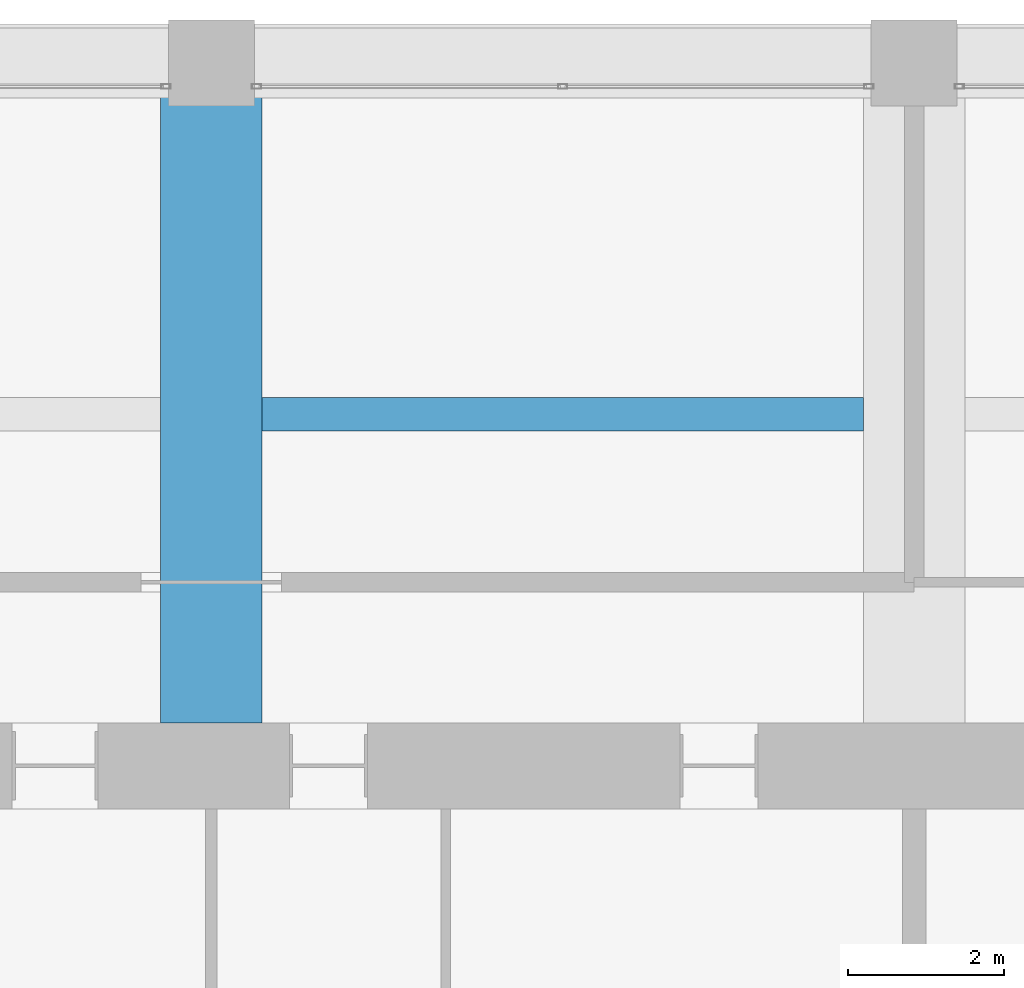
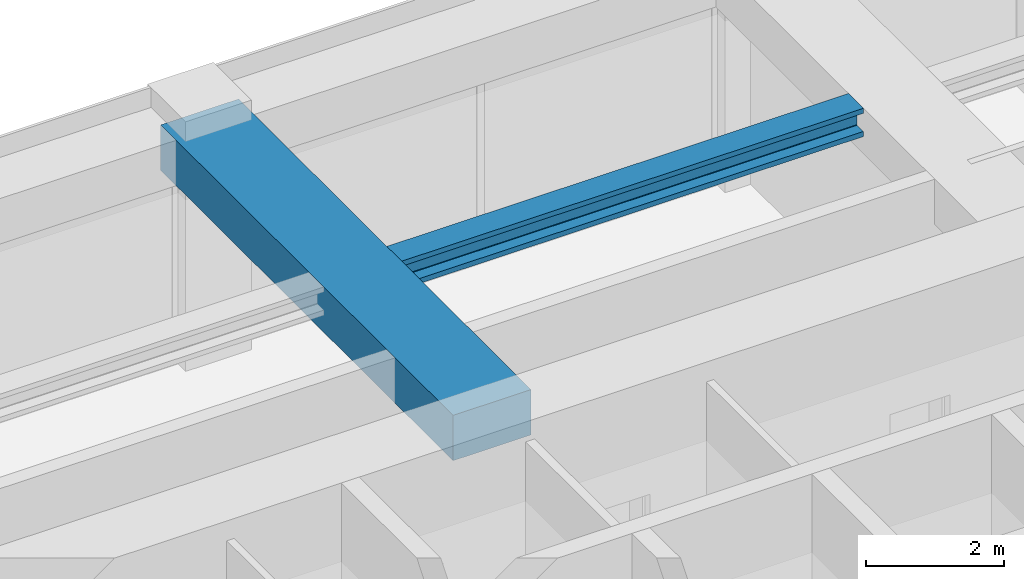
# One storey, part 32 of 44: 2 beams.
"""IFC4 building model written with IfcOpenShell, lengths in metres."""

from ifc_helpers import new_model, si_unit, direction, frame, origin, origin_2d, place, context, subcontext, project, spatial, rectangle, i_section, extrude, material, material_profile, profile_set, type_object, element, save


model = new_model("IFC4")

# Units and contexts
model_context = context("Model", 3, precision=1e-05, world=origin(), true_north=direction((0.0, 1.0)))
body_context = subcontext(model_context, "Body", "Model", "MODEL_VIEW")
ifc_project = project(units=[si_unit("LENGTHUNIT", "METRE"), si_unit("AREAUNIT", "SQUARE_METRE"), si_unit("VOLUMEUNIT", "CUBIC_METRE"), si_unit("PLANEANGLEUNIT", "RADIAN"), si_unit("MASSUNIT", "GRAM", prefix="KILO")], contexts=[model_context])

# Site, building, storey
site_placement = place(None, origin())
site = spatial("IfcSite", under=ifc_project, at=site_placement, CompositionType="ELEMENT")
building_placement = place(site_placement, origin())
building = spatial("IfcBuilding", under=site, at=building_placement, Name="Zorevar Civic Tower", CompositionType="ELEMENT")
storey_placement = place(building_placement, frame((0.0, 0.0, 307.39990234375)))
storey = spatial("IfcBuildingStorey", under=building, at=storey_placement, Name="L75", CompositionType="ELEMENT", Elevation=307.39990234375)

# Beams
ifc_material_1 = material(Name="Concrete C50/60", Category="concrete")
ifc_material_profile_1 = material_profile(ifc_material_1, rectangle(XDim=1.300048828125, YDim=0.800048828125, at=origin_2d()), Name="RC 1300x800")
ifc_profile_set_1 = profile_set([ifc_material_profile_1], Name="Concrete C50/60")
beam_type_1 = type_object("IfcBeamType", Name="Beam RC 1300x800", PredefinedType="BEAM", material=ifc_profile_set_1)
beam_1_placement = place(storey_placement, frame((27.0, 36.550048828125, 3.650146484375), z_axis=(0.0, 1.0, 0.0), x_axis=(-1.0, 0.0, 0.0)))
element("IfcBeam", 1, at=beam_1_placement, inside=storey, type_object=beam_type_1, Name="Girder RF", PredefinedType="BEAM", context=body_context, shape_type="SweptSolid", body=[
    extrude(rectangle(XDim=1.300048828125, YDim=0.800048828125, at=origin_2d()), origin(), (0.0, 0.0, 1.0), 8.449951171875),
])
ifc_material_2 = material(Name="Steel S460M (HISTAR 460)", Category="steel")
ifc_material_profile_2 = material_profile(ifc_material_2, i_section(OverallWidth=0.431884765625, OverallDepth=0.498046875, WebThickness=0.0556640625, FlangeThickness=0.0888671875, FilletRadius=0.014892578125, at=origin_2d()), Name="HD 400x744")
ifc_profile_set_2 = profile_set([ifc_material_profile_2], Name="Steel S460M (HISTAR 460)")
beam_type_2 = type_object("IfcBeamType", Name="Core bay beam HD 400x744", PredefinedType="BEAM", material=ifc_profile_set_2)
beam_2_placement = place(storey_placement, frame((27.64990234375, 40.5, 3.801025390625), z_axis=(1.0, 0.0, 0.0), x_axis=(0.0, 1.0, 0.0)))
element("IfcBeam", 2, at=beam_2_placement, inside=storey, type_object=beam_type_2, Name="Secondary beam RF", PredefinedType="BEAM", context=body_context, shape_type="SweptSolid", body=[
    extrude(i_section(OverallWidth=0.431884765625, OverallDepth=0.498046875, WebThickness=0.0556640625, FlangeThickness=0.0888671875, FilletRadius=0.014892578125, at=origin_2d()), origin(), (0.0, 0.0, 1.0), 7.7001953125),
])

save(model, "model.ifc")
